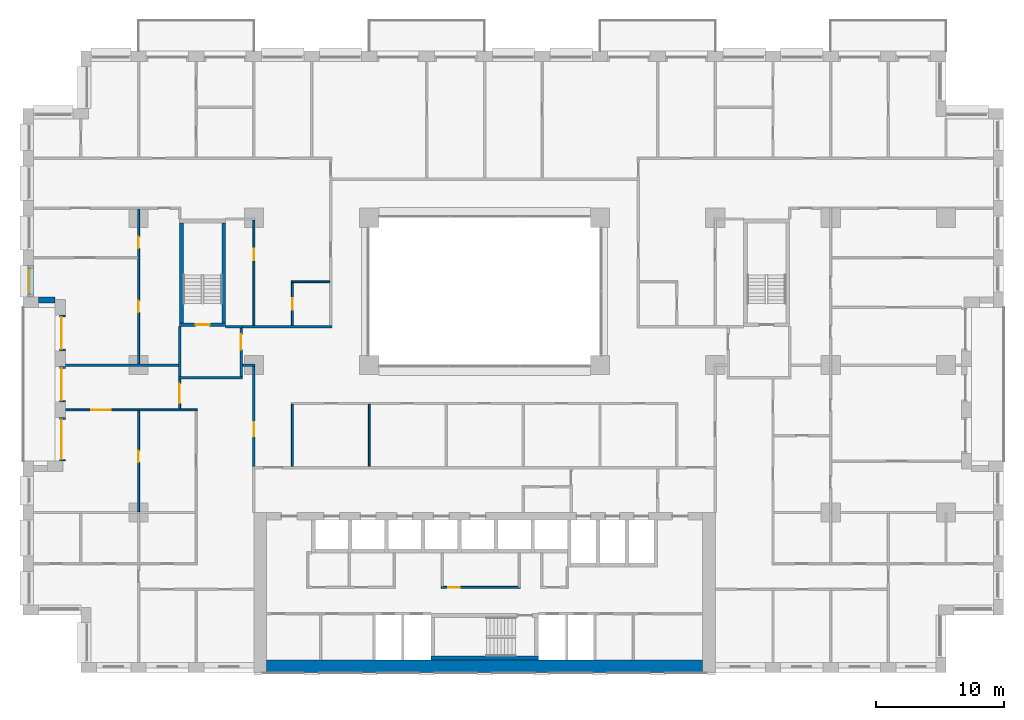
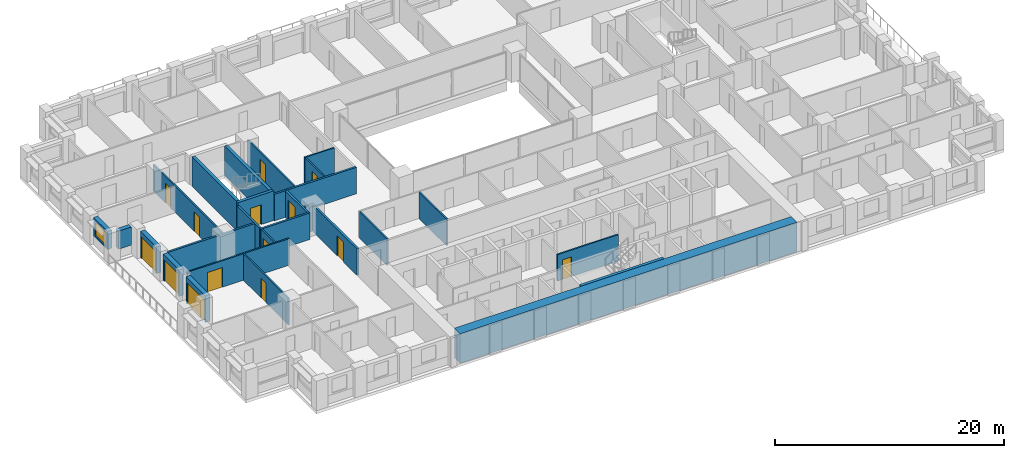
# One storey, part 10 of 19: 28 walls, 14 doors, 1 window, 15 openings.
"""IFC4 building model written with IfcOpenShell, lengths in metres."""

from ifc_helpers import new_model, si_unit, direction, frame, frame_2d, origin, place, context, subcontext, project, spatial, rectangle, extrude, material, layer, layer_set, type_object, element, fill, save


model = new_model("IFC4")

# Units and contexts
model_context = context("Model", 3, precision=1e-05, world=origin(), true_north=direction((0.0, 1.0)))
body_context = subcontext(model_context, "Body", "Model", "MODEL_VIEW")
ifc_project = project(units=[si_unit("LENGTHUNIT", "METRE"), si_unit("AREAUNIT", "SQUARE_METRE"), si_unit("VOLUMEUNIT", "CUBIC_METRE"), si_unit("PLANEANGLEUNIT", "RADIAN"), si_unit("MASSUNIT", "GRAM", prefix="KILO")], contexts=[model_context])

# Site, building, storey
site_placement = place(None, origin())
site = spatial("IfcSite", under=ifc_project, at=site_placement, CompositionType="ELEMENT")
building_placement = place(site_placement, origin())
building = spatial("IfcBuilding", under=site, at=building_placement, Name="Brigalow Station Residences", CompositionType="ELEMENT")
storey_placement = place(building_placement, frame((0.0, 0.0, 25.800048828125)))
storey = spatial("IfcBuildingStorey", under=building, at=storey_placement, Name="L06", CompositionType="ELEMENT", Elevation=25.800048828125)

# Wall, opening, window
ifc_material_1 = material(Name="Clay brick masonry", Category="masonry")
ifc_layer_1 = layer(ifc_material_1, 0.449951171875)
ifc_layer_set_1 = layer_set([ifc_layer_1], Name="BRICK INFILL WALL 450")
wall_type_1 = type_object("IfcWallType", Name="BRICK INFILL WALL 450", PredefinedType="SOLIDWALL", material=ifc_layer_set_1)
wall_1_placement = place(storey_placement, frame((0.574951171875, 31.77490234375, 0.89990234375), z_axis=(0.0, 0.0, 1.0), x_axis=(0.0, -1.0, 0.0)))
wall_1 = element("IfcWall", 1, at=wall_1_placement, inside=storey, type_object=wall_type_1, Name="L06/ewall/W-L06-45", PredefinedType="SOLIDWALL", context=body_context, shape_type="SweptSolid", body=[
    extrude(rectangle(XDim=2.474853515625, YDim=0.449951171875, at=frame_2d((1.2373046875, 0.0))), origin(), (0.0, 0.0, 1.0), 1.929931640625),
])
opening_1_placement = place(wall_1_placement, frame((0.237548828125, 0.0, 0.14990234375)))
opening_1 = element("IfcOpeningElement", 2, at=opening_1_placement, cuts=wall_1, Name="Opening WT-7", PredefinedType="OPENING", context=body_context, shape_type="SweptSolid", body=[
    extrude(rectangle(XDim=2.0, YDim=1.5, at=frame_2d((1.0, 0.75))), frame((0.0, 0.23486328125, 0.0), z_axis=(0.0, -1.0, 0.0), x_axis=(1.0, 0.0, 0.0)), (0.0, 0.0, 1.0), 0.469970703125),
])
ifc_material_2 = material(Name="Anodised aluminium frame with double glazing", Category="aluminium")
window_type = type_object("IfcWindowType", Name="WINDOW 2000x1500", PartitioningType="SINGLE_PANEL", PredefinedType="WINDOW", material=ifc_material_2)
window_placement = place(opening_1_placement, origin())
window = element("IfcWindow", 3, at=window_placement, inside=storey, type_object=window_type, Name="L06/window/W-L06-45", OverallHeight=1.5, OverallWidth=2.0, PartitioningType="SINGLE_PANEL", PredefinedType="WINDOW", context=body_context, shape_type="SweptSolid", body=[
    extrude(rectangle(XDim=2.0, YDim=1.5, at=frame_2d((1.0, 0.75))), frame((0.0, -0.06494140625, 0.0), z_axis=(0.0, -1.0, 0.0), x_axis=(1.0, 0.0, 0.0)), (0.0, 0.0, 1.0), 0.06005859375),
])
fill(opening_1, window)

# Wall
wall_2_placement = place(storey_placement, frame((1.199951171875, 29.074951171875, 0.89990234375), z_axis=(0.0, 0.0, 1.0), x_axis=(1.0, 0.0, 0.0)))
element("IfcWall", 4, at=wall_2_placement, inside=storey, type_object=wall_type_1, Name="L06/ewall/W-L06-46", PredefinedType="SOLIDWALL", context=body_context, shape_type="SweptSolid", body=[
    extrude(rectangle(XDim=1.300048828125, YDim=0.449951171875, at=frame_2d((0.64990234375, 0.0))), origin(), (0.0, 0.0, 1.0), 1.929931640625),
])

# Wall, opening, door
wall_3_placement = place(storey_placement, frame((3.074951171875, 27.89990234375, 0.0), z_axis=(0.0, 0.0, 1.0), x_axis=(0.0, -1.0, 0.0)))
wall_3 = element("IfcWall", 5, at=wall_3_placement, inside=storey, type_object=wall_type_1, Name="L06/ewall/W-L06-47", PredefinedType="SOLIDWALL", context=body_context, shape_type="SweptSolid", body=[
    extrude(rectangle(XDim=2.7998046875, YDim=0.449951171875, at=frame_2d((1.39990234375, 0.0))), origin(), (0.0, 0.0, 1.0), 2.829833984375),
])
opening_2_placement = place(wall_3_placement, frame((0.14990234375, 0.0, 0.0)))
opening_2 = element("IfcOpeningElement", 6, at=opening_2_placement, cuts=wall_3, Name="Opening D-B2500", PredefinedType="OPENING", context=body_context, shape_type="SweptSolid", body=[
    extrude(rectangle(XDim=2.5, YDim=2.300048828125, at=frame_2d((1.25, 1.14990234375))), frame((0.0, 0.23486328125, 0.0), z_axis=(0.0, -1.0, 0.0), x_axis=(1.0, 0.0, 0.0)), (0.0, 0.0, 1.0), 0.469970703125),
])
ifc_material_3 = material(Name="Anodised aluminium frame with double glazing", Category="aluminium")
door_type_1 = type_object("IfcDoorType", Name="BALCONY SLIDING DOOR 2500x2300", OperationType="SLIDING_TO_LEFT", PredefinedType="DOOR", material=ifc_material_3)
door_1_placement = place(opening_2_placement, origin())
door_1 = element("IfcDoor", 7, at=door_1_placement, inside=storey, type_object=door_type_1, Name="L06/balcony-door/W-L06-47", OperationType="SLIDING_TO_LEFT", OverallHeight=2.300048828125, OverallWidth=2.5, PredefinedType="DOOR", context=body_context, shape_type="SweptSolid", body=[
    extrude(rectangle(XDim=2.5, YDim=2.300048828125, at=frame_2d((1.25, 1.14990234375))), frame((0.0, -0.06982421875, 0.0), z_axis=(0.0, -1.0, 0.0), x_axis=(1.0, 0.0, 0.0)), (0.0, 0.0, 1.0), 0.050048828125),
])
fill(opening_2, door_1)

wall_4_placement = place(storey_placement, frame((3.074951171875, 23.89990234375, 0.0), z_axis=(0.0, 0.0, 1.0), x_axis=(0.0, -1.0, 0.0)))
wall_4 = element("IfcWall", 8, at=wall_4_placement, inside=storey, type_object=wall_type_1, Name="L06/ewall/W-L06-48", PredefinedType="SOLIDWALL", context=body_context, shape_type="SweptSolid", body=[
    extrude(rectangle(XDim=2.7998046875, YDim=0.449951171875, at=frame_2d((1.39990234375, 0.0))), origin(), (0.0, 0.0, 1.0), 2.829833984375),
])
opening_3_placement = place(wall_4_placement, frame((0.14990234375, 0.0, 0.0)))
opening_3 = element("IfcOpeningElement", 9, at=opening_3_placement, cuts=wall_4, Name="Opening D-B2500", PredefinedType="OPENING", context=body_context, shape_type="SweptSolid", body=[
    extrude(rectangle(XDim=2.5, YDim=2.300048828125, at=frame_2d((1.25, 1.14990234375))), frame((0.0, 0.23486328125, 0.0), z_axis=(0.0, -1.0, 0.0), x_axis=(1.0, 0.0, 0.0)), (0.0, 0.0, 1.0), 0.469970703125),
])
door_2_placement = place(opening_3_placement, origin())
door_2 = element("IfcDoor", 10, at=door_2_placement, inside=storey, type_object=door_type_1, Name="L06/balcony-door/W-L06-48", OperationType="SLIDING_TO_LEFT", OverallHeight=2.300048828125, OverallWidth=2.5, PredefinedType="DOOR", context=body_context, shape_type="SweptSolid", body=[
    extrude(rectangle(XDim=2.5, YDim=2.300048828125, at=frame_2d((1.25, 1.14990234375))), frame((0.0, -0.06982421875, 0.0), z_axis=(0.0, -1.0, 0.0), x_axis=(1.0, 0.0, 0.0)), (0.0, 0.0, 1.0), 0.050048828125),
])
fill(opening_3, door_2)

wall_5_placement = place(storey_placement, frame((3.074951171875, 19.89990234375, 0.0), z_axis=(0.0, 0.0, 1.0), x_axis=(0.0, -1.0, 0.0)))
wall_5 = element("IfcWall", 11, at=wall_5_placement, inside=storey, type_object=wall_type_1, Name="L06/ewall/W-L06-49", PredefinedType="SOLIDWALL", context=body_context, shape_type="SweptSolid", body=[
    extrude(rectangle(XDim=3.39990234375, YDim=0.449951171875, at=frame_2d((1.699951171875, 0.0))), origin(), (0.0, 0.0, 1.0), 2.829833984375),
])
opening_4_placement = place(wall_5_placement, frame((0.14990234375, 0.0, 0.0)))
opening_4 = element("IfcOpeningElement", 12, at=opening_4_placement, cuts=wall_5, Name="Opening D-B3100", PredefinedType="OPENING", context=body_context, shape_type="SweptSolid", body=[
    extrude(rectangle(XDim=3.10009765625, YDim=2.300048828125, at=frame_2d((1.550048828125, 1.14990234375))), frame((0.0, 0.23486328125, 0.0), z_axis=(0.0, -1.0, 0.0), x_axis=(1.0, 0.0, 0.0)), (0.0, 0.0, 1.0), 0.469970703125),
])
ifc_material_4 = material(Name="Anodised aluminium frame with double glazing", Category="aluminium")
door_type_2 = type_object("IfcDoorType", Name="BALCONY SLIDING DOOR 3100x2300", OperationType="SLIDING_TO_LEFT", PredefinedType="DOOR", material=ifc_material_4)
door_3_placement = place(opening_4_placement, origin())
door_3 = element("IfcDoor", 13, at=door_3_placement, inside=storey, type_object=door_type_2, Name="L06/balcony-door/W-L06-49", OperationType="SLIDING_TO_LEFT", OverallHeight=2.300048828125, OverallWidth=3.10009765625, PredefinedType="DOOR", context=body_context, shape_type="SweptSolid", body=[
    extrude(rectangle(XDim=3.10009765625, YDim=2.300048828125, at=frame_2d((1.550048828125, 1.14990234375))), frame((0.0, -0.06982421875, 0.0), z_axis=(0.0, -1.0, 0.0), x_axis=(1.0, 0.0, 0.0)), (0.0, 0.0, 1.0), 0.050048828125),
])
fill(opening_4, door_3)

# Walls
ifc_material_5 = material(Name="Concrete C80", Category="concrete")
ifc_layer_2 = layer(ifc_material_5, 1.0)
ifc_layer_set_2 = layer_set([ifc_layer_2], Name="CORE SHEAR WALL 1000 C80")
wall_type_2 = type_object("IfcWallType", Name="CORE SHEAR WALL 1000 C80", PredefinedType="SHEAR", material=ifc_layer_set_2)
wall_6_placement = place(storey_placement, frame((19.0, 0.5, 0.0), z_axis=(0.0, 0.0, 1.0), x_axis=(1.0, 0.0, 0.0)))
element("IfcWall", 14, at=wall_6_placement, inside=storey, type_object=wall_type_2, Name="CORE WALL OUT-S L06", PredefinedType="SHEAR", context=body_context, shape_type="SweptSolid", body=[
    extrude(rectangle(XDim=34.0, YDim=1.0, at=frame_2d((17.0, 0.0))), origin(), (0.0, 0.0, 1.0), 3.14990234375),
])
ifc_material_6 = material(Name="Concrete C80", Category="concrete")
ifc_layer_3 = layer(ifc_material_6, 0.300048828125)
ifc_layer_set_3 = layer_set([ifc_layer_3], Name="CORE SHEAR WALL 300 C80")
wall_type_3 = type_object("IfcWallType", Name="CORE SHEAR WALL 300 C80", PredefinedType="SHEAR", material=ifc_layer_set_3)
wall_7_placement = place(storey_placement, frame((31.800048828125, 1.14990234375, 0.0), z_axis=(0.0, 0.0, 1.0), x_axis=(1.0, 0.0, 0.0)))
element("IfcWall", 15, at=wall_7_placement, inside=storey, type_object=wall_type_3, Name="CORE WALL ST-S2-S L06", PredefinedType="SHEAR", context=body_context, shape_type="SweptSolid", body=[
    extrude(rectangle(XDim=8.39990234375, YDim=0.300048828125, at=frame_2d((4.199951171875, 0.0))), origin(), (0.0, 0.0, 1.0), 3.14990234375),
])

# Wall, opening, door
wall_8_placement = place(storey_placement, frame((12.199951171875, 27.14990234375, 0.0), z_axis=(0.0, 0.0, 1.0), x_axis=(1.0, 0.0, 0.0)))
wall_8 = element("IfcWall", 16, at=wall_8_placement, inside=storey, type_object=wall_type_3, Name="CORE WALL ST-S1-S L06", PredefinedType="SHEAR", context=body_context, shape_type="SweptSolid", body=[
    extrude(rectangle(XDim=3.60009765625, YDim=0.300048828125, at=frame_2d((1.800048828125, 0.0))), origin(), (0.0, 0.0, 1.0), 3.14990234375),
])
opening_5_placement = place(wall_8_placement, frame((1.25, 0.0, 0.0)))
opening_5 = element("IfcOpeningElement", 17, at=opening_5_placement, cuts=wall_8, Name="Opening D-5015", PredefinedType="OPENING", context=body_context, shape_type="SweptSolid", body=[
    extrude(rectangle(XDim=1.10009765625, YDim=2.10009765625, at=frame_2d((0.550048828125, 1.050048828125))), frame((0.0, 0.16015625, 0.0), z_axis=(0.0, -1.0, 0.0), x_axis=(1.0, 0.0, 0.0)), (0.0, 0.0, 1.0), 0.320068359375),
])
ifc_material_7 = material(Name="Steel fire door leaf in steel frame", Category="steel")
door_type_3 = type_object("IfcDoorType", Name="STAIR DOOR 1100 x 2100 FD60S", OperationType="SINGLE_SWING_LEFT", PredefinedType="DOOR", material=ifc_material_7)
door_4_placement = place(opening_5_placement, origin())
door_4 = element("IfcDoor", 18, at=door_4_placement, inside=storey, type_object=door_type_3, Name="D-5015", OperationType="SINGLE_SWING_LEFT", OverallHeight=2.10009765625, OverallWidth=1.10009765625, PredefinedType="DOOR", context=body_context, shape_type="SweptSolid", body=[
    extrude(rectangle(XDim=1.10009765625, YDim=2.10009765625, at=frame_2d((0.550048828125, 1.050048828125))), frame((0.0, 0.02490234375, 0.0), z_axis=(0.0, -1.0, 0.0), x_axis=(1.0, 0.0, 0.0)), (0.0, 0.0, 1.0), 0.050048828125),
])
fill(opening_5, door_4)

# Walls
for number, where, z_axis, x_axis, name in (
    (19, (12.35009765625, 27.300048828125, 0.0), (0.0, 0.0, 1.0), (0.0, 1.0, 0.0), "CORE WALL ST-S1-W L06"),
    (20, (15.64990234375, 27.300048828125, 0.0), (0.0, 0.0, 1.0), (0.0, 1.0, 0.0), "CORE WALL ST-S1-E L06"),
):
    element("IfcWall", number, at=place(storey_placement, frame(where, z_axis=z_axis, x_axis=x_axis)), inside=storey, type_object=wall_type_3, Name=name, PredefinedType="SHEAR", context=body_context, shape_type="SweptSolid", body=[
        extrude(rectangle(XDim=7.800048828125, YDim=0.300048828125, at=frame_2d((3.89990234375, 0.0))), origin(), (0.0, 0.0, 1.0), 3.14990234375),
    ])
ifc_material_8 = material(Name="Concrete blockwork", Category="masonry")
ifc_layer_4 = layer(ifc_material_8, 0.199951171875)
ifc_layer_set_4 = layer_set([ifc_layer_4], Name="FIRE RATED CORE PARTITION 200")
wall_type_4 = type_object("IfcWallType", Name="FIRE RATED CORE PARTITION 200", PredefinedType="PARTITIONING", material=ifc_layer_set_4)
wall_9_placement = place(storey_placement, frame((12.10009765625, 23.0, 0.0), z_axis=(0.0, 0.0, 1.0), x_axis=(1.0, 0.0, 0.0)))
element("IfcWall", 21, at=wall_9_placement, inside=storey, type_object=wall_type_4, Name="PW-5023", PredefinedType="PARTITIONING", context=body_context, shape_type="SweptSolid", body=[
    extrude(rectangle(XDim=5.0, YDim=0.199951171875, at=frame_2d((2.5, 0.0))), origin(), (0.0, 0.0, 1.0), 2.829833984375),
])
wall_10_placement = place(storey_placement, frame((15.800048828125, 27.0, 0.0), z_axis=(0.0, 0.0, 1.0), x_axis=(1.0, 0.0, 0.0)))
element("IfcWall", 22, at=wall_10_placement, inside=storey, type_object=wall_type_4, Name="PW-5025", PredefinedType="PARTITIONING", context=body_context, shape_type="SweptSolid", body=[
    extrude(rectangle(XDim=1.300048828125, YDim=0.199951171875, at=frame_2d((0.64990234375, 0.0))), origin(), (0.0, 0.0, 1.0), 2.829833984375),
])
wall_11_placement = place(storey_placement, frame((12.199951171875, 23.10009765625, 0.0), z_axis=(0.0, 0.0, 1.0), x_axis=(0.0, 1.0, 0.0)))
element("IfcWall", 23, at=wall_11_placement, inside=storey, type_object=wall_type_4, Name="PW-5034", PredefinedType="PARTITIONING", context=body_context, shape_type="SweptSolid", body=[
    extrude(rectangle(XDim=3.89990234375, YDim=0.199951171875, at=frame_2d((1.949951171875, 0.0))), origin(), (0.0, 0.0, 1.0), 2.829833984375),
])

# Wall, opening, door
wall_12_placement = place(storey_placement, frame((17.0, 23.10009765625, 0.0), z_axis=(0.0, 0.0, 1.0), x_axis=(0.0, 1.0, 0.0)))
wall_12 = element("IfcWall", 24, at=wall_12_placement, inside=storey, type_object=wall_type_4, Name="PW-5035", PredefinedType="PARTITIONING", context=body_context, shape_type="SweptSolid", body=[
    extrude(rectangle(XDim=3.7998046875, YDim=0.199951171875, at=frame_2d((1.89990234375, 0.0))), origin(), (0.0, 0.0, 1.0), 2.829833984375),
])
opening_6_placement = place(wall_12_placement, frame((2.10009765625, 0.0, 0.0)))
opening_6 = element("IfcOpeningElement", 25, at=opening_6_placement, cuts=wall_12, Name="Opening D-5016", PredefinedType="OPENING", context=body_context, shape_type="SweptSolid", body=[
    extrude(rectangle(XDim=1.199951171875, YDim=2.10009765625, at=frame_2d((0.60009765625, 1.050048828125))), frame((0.0, 0.10986328125, 0.0), z_axis=(0.0, -1.0, 0.0), x_axis=(1.0, 0.0, 0.0)), (0.0, 0.0, 1.0), 0.219970703125),
])
ifc_material_9 = material(Name="Steel fire door leaf in steel frame", Category="steel")
door_type_4 = type_object("IfcDoorType", Name="STAIR LOBBY DOOR 1200 x 2100 FD60S", OperationType="SINGLE_SWING_LEFT", PredefinedType="DOOR", material=ifc_material_9)
door_5_placement = place(opening_6_placement, origin())
door_5 = element("IfcDoor", 26, at=door_5_placement, inside=storey, type_object=door_type_4, Name="D-5016", OperationType="SINGLE_SWING_RIGHT", OverallHeight=2.10009765625, OverallWidth=1.199951171875, PredefinedType="DOOR", context=body_context, shape_type="SweptSolid", body=[
    extrude(rectangle(XDim=1.199951171875, YDim=2.10009765625, at=frame_2d((0.60009765625, 1.050048828125))), frame((0.0, 0.02490234375, 0.0), z_axis=(0.0, -1.0, 0.0), x_axis=(1.0, 0.0, 0.0)), (0.0, 0.0, 1.0), 0.050048828125),
])
fill(opening_6, door_5)

ifc_material_10 = material(Name="Plasterboard on steel stud partition", Category="steel")
ifc_layer_5 = layer(ifc_material_10, 0.14990234375)
ifc_layer_set_5 = layer_set([ifc_layer_5], Name="FLAT PARTITION 150")
wall_type_5 = type_object("IfcWallType", Name="FLAT PARTITION 150", PredefinedType="PARTITIONING", material=ifc_layer_set_5)
wall_13_placement = place(storey_placement, frame((3.300048828125, 20.5, 0.0), z_axis=(0.0, 0.0, 1.0), x_axis=(1.0, 0.0, 0.0)))
wall_13 = element("IfcWall", 27, at=wall_13_placement, inside=storey, type_object=wall_type_5, Name="PW-1A15", PredefinedType="PARTITIONING", context=body_context, shape_type="SweptSolid", body=[
    extrude(rectangle(XDim=10.27490234375, YDim=0.14990234375, at=frame_2d((5.137451171875, 0.0))), origin(), (0.0, 0.0, 1.0), 2.829833984375),
])
opening_7_placement = place(wall_13_placement, frame((2.02490234375, 0.0, 0.0)))
opening_7 = element("IfcOpeningElement", 28, at=opening_7_placement, cuts=wall_13, Name="Opening D-1A12", PredefinedType="OPENING", context=body_context, shape_type="SweptSolid", body=[
    extrude(rectangle(XDim=1.5, YDim=2.10009765625, at=frame_2d((0.75, 1.050048828125))), frame((0.0, 0.0849609375, 0.0), z_axis=(0.0, -1.0, 0.0), x_axis=(1.0, 0.0, 0.0)), (0.0, 0.0, 1.0), 0.169921875),
])
ifc_material_11 = material(Name="Solid-core timber door leaf", Category="wood")
door_type_5 = type_object("IfcDoorType", Name="INTERNAL DOUBLE DOOR 1500 x 2100", OperationType="DOUBLE_DOOR_SINGLE_SWING", PredefinedType="DOOR", material=ifc_material_11)
door_6_placement = place(opening_7_placement, origin())
door_6 = element("IfcDoor", 29, at=door_6_placement, inside=storey, type_object=door_type_5, Name="D-1A12", OperationType="DOUBLE_DOOR_SINGLE_SWING", OverallHeight=2.10009765625, OverallWidth=1.5, PredefinedType="DOOR", context=body_context, shape_type="SweptSolid", body=[
    extrude(rectangle(XDim=1.5, YDim=2.10009765625, at=frame_2d((0.75, 1.050048828125))), frame((0.0, 0.02490234375, 0.0), z_axis=(0.0, -1.0, 0.0), x_axis=(1.0, 0.0, 0.0)), (0.0, 0.0, 1.0), 0.050048828125),
])
fill(opening_7, door_6)

# Wall
wall_14_placement = place(storey_placement, frame((20.925048828125, 30.5, 0.0), z_axis=(0.0, 0.0, 1.0), x_axis=(1.0, 0.0, 0.0)))
element("IfcWall", 30, at=wall_14_placement, inside=storey, type_object=wall_type_5, Name="PW-1A24", PredefinedType="PARTITIONING", context=body_context, shape_type="SweptSolid", body=[
    extrude(rectangle(XDim=2.974853515625, YDim=0.14990234375, at=frame_2d((1.4873046875, 0.0))), origin(), (0.0, 0.0, 1.0), 2.829833984375),
])

# Wall, opening, door
wall_15_placement = place(storey_placement, frame((18.0, 27.10009765625, 0.0), z_axis=(0.0, 0.0, 1.0), x_axis=(0.0, 1.0, 0.0)))
wall_15 = element("IfcWall", 31, at=wall_15_placement, inside=storey, type_object=wall_type_5, Name="PW-1A32", PredefinedType="PARTITIONING", context=body_context, shape_type="SweptSolid", body=[
    extrude(rectangle(XDim=8.224853515625, YDim=0.14990234375, at=frame_2d((4.1123046875, 0.0))), origin(), (0.0, 0.0, 1.0), 2.829833984375),
])
opening_8_placement = place(wall_15_placement, frame((5.074951171875, 0.0, 0.0)))
opening_8 = element("IfcOpeningElement", 32, at=opening_8_placement, cuts=wall_15, Name="Opening D-1A19", PredefinedType="OPENING", context=body_context, shape_type="SweptSolid", body=[
    extrude(rectangle(XDim=0.89990234375, YDim=2.10009765625, at=frame_2d((0.449951171875, 1.050048828125))), frame((0.0, 0.0849609375, 0.0), z_axis=(0.0, -1.0, 0.0), x_axis=(1.0, 0.0, 0.0)), (0.0, 0.0, 1.0), 0.169921875),
])
ifc_material_12 = material(Name="Solid-core timber door leaf", Category="wood")
door_type_6 = type_object("IfcDoorType", Name="INTERNAL DOOR 900 x 2100", OperationType="SINGLE_SWING_LEFT", PredefinedType="DOOR", material=ifc_material_12)
door_7_placement = place(opening_8_placement, origin())
door_7 = element("IfcDoor", 33, at=door_7_placement, inside=storey, type_object=door_type_6, Name="D-1A19", OperationType="SINGLE_SWING_RIGHT", OverallHeight=2.10009765625, OverallWidth=0.89990234375, PredefinedType="DOOR", context=body_context, shape_type="SweptSolid", body=[
    extrude(rectangle(XDim=0.89990234375, YDim=2.10009765625, at=frame_2d((0.449951171875, 1.050048828125))), frame((0.0, 0.02490234375, 0.0), z_axis=(0.0, -1.0, 0.0), x_axis=(1.0, 0.0, 0.0)), (0.0, 0.0, 1.0), 0.050048828125),
])
fill(opening_8, door_7)

# Wall
wall_16_placement = place(storey_placement, frame((21.0, 16.10009765625, 0.0), z_axis=(0.0, 0.0, 1.0), x_axis=(0.0, 1.0, 0.0)))
element("IfcWall", 34, at=wall_16_placement, inside=storey, type_object=wall_type_5, Name="PW-1A38", PredefinedType="PARTITIONING", context=body_context, shape_type="SweptSolid", body=[
    extrude(rectangle(XDim=4.824951171875, YDim=0.14990234375, at=frame_2d((2.41259765625, 0.0))), origin(), (0.0, 0.0, 1.0), 2.829833984375),
])

# Wall, opening, door
wall_17_placement = place(storey_placement, frame((21.0, 27.10009765625, 0.0), z_axis=(0.0, 0.0, 1.0), x_axis=(0.0, 1.0, 0.0)))
wall_17 = element("IfcWall", 35, at=wall_17_placement, inside=storey, type_object=wall_type_5, Name="PW-1A39", PredefinedType="PARTITIONING", context=body_context, shape_type="SweptSolid", body=[
    extrude(rectangle(XDim=3.324951171875, YDim=0.14990234375, at=frame_2d((1.66259765625, 0.0))), origin(), (0.0, 0.0, 1.0), 2.829833984375),
])
opening_9_placement = place(wall_17_placement, frame((1.199951171875, 0.0, 0.0)))
opening_9 = element("IfcOpeningElement", 36, at=opening_9_placement, cuts=wall_17, Name="Opening D-1A20", PredefinedType="OPENING", context=body_context, shape_type="SweptSolid", body=[
    extrude(rectangle(XDim=0.89990234375, YDim=2.10009765625, at=frame_2d((0.449951171875, 1.050048828125))), frame((0.0, 0.0849609375, 0.0), z_axis=(0.0, -1.0, 0.0), x_axis=(1.0, 0.0, 0.0)), (0.0, 0.0, 1.0), 0.169921875),
])
door_8_placement = place(opening_9_placement, frame((0.89990234375, 0.0, 0.0), z_axis=(0.0, 0.0, 1.0), x_axis=(-1.0, 0.0, 0.0)))
door_8 = element("IfcDoor", 37, at=door_8_placement, inside=storey, type_object=door_type_6, Name="D-1A20", OperationType="SINGLE_SWING_RIGHT", OverallHeight=2.10009765625, OverallWidth=0.89990234375, PredefinedType="DOOR", context=body_context, shape_type="SweptSolid", body=[
    extrude(rectangle(XDim=0.89990234375, YDim=2.10009765625, at=frame_2d((0.449951171875, 1.050048828125))), frame((0.0, 0.02490234375, 0.0), z_axis=(0.0, -1.0, 0.0), x_axis=(1.0, 0.0, 0.0)), (0.0, 0.0, 1.0), 0.050048828125),
])
fill(opening_9, door_8)

wall_18_placement = place(storey_placement, frame((9.0, 12.574951171875, 0.0), z_axis=(0.0, 0.0, 1.0), x_axis=(0.0, 1.0, 0.0)))
wall_18 = element("IfcWall", 38, at=wall_18_placement, inside=storey, type_object=wall_type_5, Name="PW-1A48", PredefinedType="PARTITIONING", context=body_context, shape_type="SweptSolid", body=[
    extrude(rectangle(XDim=7.85009765625, YDim=0.14990234375, at=frame_2d((3.925048828125, 0.0))), origin(), (0.0, 0.0, 1.0), 2.829833984375),
])
opening_10_placement = place(wall_18_placement, frame((3.85009765625, 0.0, 0.0)))
opening_10 = element("IfcOpeningElement", 39, at=opening_10_placement, cuts=wall_18, Name="Opening D-1A10", PredefinedType="OPENING", context=body_context, shape_type="SweptSolid", body=[
    extrude(rectangle(XDim=0.89990234375, YDim=2.10009765625, at=frame_2d((0.449951171875, 1.050048828125))), frame((0.0, 0.0849609375, 0.0), z_axis=(0.0, -1.0, 0.0), x_axis=(1.0, 0.0, 0.0)), (0.0, 0.0, 1.0), 0.169921875),
])
door_9_placement = place(opening_10_placement, frame((0.89990234375, 0.0, 0.0), z_axis=(0.0, 0.0, 1.0), x_axis=(-1.0, 0.0, 0.0)))
door_9 = element("IfcDoor", 40, at=door_9_placement, inside=storey, type_object=door_type_6, Name="D-1A10", OperationType="SINGLE_SWING_LEFT", OverallHeight=2.10009765625, OverallWidth=0.89990234375, PredefinedType="DOOR", context=body_context, shape_type="SweptSolid", body=[
    extrude(rectangle(XDim=0.89990234375, YDim=2.10009765625, at=frame_2d((0.449951171875, 1.050048828125))), frame((0.0, 0.02490234375, 0.0), z_axis=(0.0, -1.0, 0.0), x_axis=(1.0, 0.0, 0.0)), (0.0, 0.0, 1.0), 0.050048828125),
])
fill(opening_10, door_9)

# Wall, openings, doors
wall_19_placement = place(storey_placement, frame((9.0, 24.10009765625, 0.0), z_axis=(0.0, 0.0, 1.0), x_axis=(0.0, 1.0, 0.0)))
wall_19 = element("IfcWall", 41, at=wall_19_placement, inside=storey, type_object=wall_type_5, Name="PW-1A49", PredefinedType="PARTITIONING", context=body_context, shape_type="SweptSolid", body=[
    extrude(rectangle(XDim=12.074951171875, YDim=0.14990234375, at=frame_2d((6.03759765625, 0.0))), origin(), (0.0, 0.0, 1.0), 2.829833984375),
])
opening_11_placement = place(wall_19_placement, frame((4.011962890625, 0.0, 0.0)))
opening_11 = element("IfcOpeningElement", 42, at=opening_11_placement, cuts=wall_19, Name="Opening D-1A16", PredefinedType="OPENING", context=body_context, shape_type="SweptSolid", body=[
    extrude(rectangle(XDim=0.89990234375, YDim=2.10009765625, at=frame_2d((0.449951171875, 1.050048828125))), frame((0.0, 0.0849609375, 0.0), z_axis=(0.0, -1.0, 0.0), x_axis=(1.0, 0.0, 0.0)), (0.0, 0.0, 1.0), 0.169921875),
])
opening_12_placement = place(wall_19_placement, frame((9.011962890625, 0.0, 0.0)))
opening_12 = element("IfcOpeningElement", 43, at=opening_12_placement, cuts=wall_19, Name="Opening D-1A17", PredefinedType="OPENING", context=body_context, shape_type="SweptSolid", body=[
    extrude(rectangle(XDim=0.89990234375, YDim=2.10009765625, at=frame_2d((0.449951171875, 1.050048828125))), frame((0.0, 0.0849609375, 0.0), z_axis=(0.0, -1.0, 0.0), x_axis=(1.0, 0.0, 0.0)), (0.0, 0.0, 1.0), 0.169921875),
])
door_10_placement = place(opening_11_placement, frame((0.89990234375, 0.0, 0.0), z_axis=(0.0, 0.0, 1.0), x_axis=(-1.0, 0.0, 0.0)))
door_10 = element("IfcDoor", 44, at=door_10_placement, inside=storey, type_object=door_type_6, Name="D-1A16", OperationType="SINGLE_SWING_RIGHT", OverallHeight=2.10009765625, OverallWidth=0.89990234375, PredefinedType="DOOR", context=body_context, shape_type="SweptSolid", body=[
    extrude(rectangle(XDim=0.89990234375, YDim=2.10009765625, at=frame_2d((0.449951171875, 1.050048828125))), frame((0.0, 0.02490234375, 0.0), z_axis=(0.0, -1.0, 0.0), x_axis=(1.0, 0.0, 0.0)), (0.0, 0.0, 1.0), 0.050048828125),
])
fill(opening_11, door_10)
door_11_placement = place(opening_12_placement, origin())
door_11 = element("IfcDoor", 45, at=door_11_placement, inside=storey, type_object=door_type_6, Name="D-1A17", OperationType="SINGLE_SWING_LEFT", OverallHeight=2.10009765625, OverallWidth=0.89990234375, PredefinedType="DOOR", context=body_context, shape_type="SweptSolid", body=[
    extrude(rectangle(XDim=0.89990234375, YDim=2.10009765625, at=frame_2d((0.449951171875, 1.050048828125))), frame((0.0, 0.02490234375, 0.0), z_axis=(0.0, -1.0, 0.0), x_axis=(1.0, 0.0, 0.0)), (0.0, 0.0, 1.0), 0.050048828125),
])
fill(opening_12, door_11)

# Wall, opening, door
wall_20_placement = place(storey_placement, frame((12.199951171875, 20.574951171875, 0.0), z_axis=(0.0, 0.0, 1.0), x_axis=(0.0, 1.0, 0.0)))
wall_20 = element("IfcWall", 46, at=wall_20_placement, inside=storey, type_object=wall_type_5, Name="PW-1A56", PredefinedType="PARTITIONING", context=body_context, shape_type="SweptSolid", body=[
    extrude(rectangle(XDim=2.324951171875, YDim=0.14990234375, at=frame_2d((1.16259765625, 0.0))), origin(), (0.0, 0.0, 1.0), 2.829833984375),
])
opening_13_placement = place(wall_20_placement, frame((0.449951171875, 0.0, 0.0)))
opening_13 = element("IfcOpeningElement", 47, at=opening_13_placement, cuts=wall_20, Name="Opening D-1A11", PredefinedType="OPENING", context=body_context, shape_type="SweptSolid", body=[
    extrude(rectangle(XDim=1.5, YDim=2.10009765625, at=frame_2d((0.75, 1.050048828125))), frame((0.0, 0.0849609375, 0.0), z_axis=(0.0, -1.0, 0.0), x_axis=(1.0, 0.0, 0.0)), (0.0, 0.0, 1.0), 0.169921875),
])
door_12_placement = place(opening_13_placement, origin())
door_12 = element("IfcDoor", 48, at=door_12_placement, inside=storey, type_object=door_type_5, Name="D-1A11", OperationType="DOUBLE_DOOR_SINGLE_SWING", OverallHeight=2.10009765625, OverallWidth=1.5, PredefinedType="DOOR", context=body_context, shape_type="SweptSolid", body=[
    extrude(rectangle(XDim=1.5, YDim=2.10009765625, at=frame_2d((0.75, 1.050048828125))), frame((0.0, 0.02490234375, 0.0), z_axis=(0.0, -1.0, 0.0), x_axis=(1.0, 0.0, 0.0)), (0.0, 0.0, 1.0), 0.050048828125),
])
fill(opening_13, door_12)

# Walls
wall_21_placement = place(storey_placement, frame((27.0, 16.10009765625, 0.0), z_axis=(0.0, 0.0, 1.0), x_axis=(0.0, 1.0, 0.0)))
element("IfcWall", 49, at=wall_21_placement, inside=storey, type_object=wall_type_5, Name="PW-1A77", PredefinedType="PARTITIONING", context=body_context, shape_type="SweptSolid", body=[
    extrude(rectangle(XDim=4.824951171875, YDim=0.14990234375, at=frame_2d((2.41259765625, 0.0))), origin(), (0.0, 0.0, 1.0), 2.829833984375),
])
ifc_material_13 = material(Name="Plasterboard on steel stud partition", Category="steel")
ifc_layer_6 = layer(ifc_material_13, 0.199951171875)
ifc_layer_set_6 = layer_set([ifc_layer_6], Name="PARTY AND CORRIDOR WALL 200")
wall_type_6 = type_object("IfcWallType", Name="PARTY AND CORRIDOR WALL 200", PredefinedType="PARTITIONING", material=ifc_layer_set_6)
wall_22_placement = place(storey_placement, frame((3.300048828125, 24.0, 0.0), z_axis=(0.0, 0.0, 1.0), x_axis=(1.0, 0.0, 0.0)))
element("IfcWall", 50, at=wall_22_placement, inside=storey, type_object=wall_type_6, Name="PW-1A02", PredefinedType="PARTITIONING", context=body_context, shape_type="SweptSolid", body=[
    extrude(rectangle(XDim=8.800048828125, YDim=0.199951171875, at=frame_2d((4.39990234375, 0.0))), origin(), (0.0, 0.0, 1.0), 2.829833984375),
])
wall_23_placement = place(storey_placement, frame((17.10009765625, 24.0, 0.0), z_axis=(0.0, 0.0, 1.0), x_axis=(1.0, 0.0, 0.0)))
element("IfcWall", 51, at=wall_23_placement, inside=storey, type_object=wall_type_6, Name="PW-1A03", PredefinedType="PARTITIONING", context=body_context, shape_type="SweptSolid", body=[
    extrude(rectangle(XDim=1.0, YDim=0.199951171875, at=frame_2d((0.5, 0.0))), origin(), (0.0, 0.0, 1.0), 2.829833984375),
])
wall_24_placement = place(storey_placement, frame((17.10009765625, 27.0, 0.0), z_axis=(0.0, 0.0, 1.0), x_axis=(1.0, 0.0, 0.0)))
element("IfcWall", 52, at=wall_24_placement, inside=storey, type_object=wall_type_6, Name="PW-1A06", PredefinedType="PARTITIONING", context=body_context, shape_type="SweptSolid", body=[
    extrude(rectangle(XDim=7.0, YDim=0.199951171875, at=frame_2d((3.5, 0.0))), origin(), (0.0, 0.0, 1.0), 2.829833984375),
])

# Wall, opening, door
wall_25_placement = place(storey_placement, frame((18.0, 16.10009765625, 0.0), z_axis=(0.0, 0.0, 1.0), x_axis=(0.0, 1.0, 0.0)))
wall_25 = element("IfcWall", 53, at=wall_25_placement, inside=storey, type_object=wall_type_6, Name="PW-1A34", PredefinedType="PARTITIONING", context=body_context, shape_type="SweptSolid", body=[
    extrude(rectangle(XDim=7.7998046875, YDim=0.199951171875, at=frame_2d((3.89990234375, 0.0))), origin(), (0.0, 0.0, 1.0), 2.829833984375),
])
opening_14_placement = place(wall_25_placement, frame((2.35009765625, 0.0, 0.0)))
opening_14 = element("IfcOpeningElement", 54, at=opening_14_placement, cuts=wall_25, Name="Opening D-1A13", PredefinedType="OPENING", context=body_context, shape_type="SweptSolid", body=[
    extrude(rectangle(XDim=1.10009765625, YDim=2.10009765625, at=frame_2d((0.550048828125, 1.050048828125))), frame((0.0, 0.10986328125, 0.0), z_axis=(0.0, -1.0, 0.0), x_axis=(1.0, 0.0, 0.0)), (0.0, 0.0, 1.0), 0.219970703125),
])
ifc_material_14 = material(Name="Solid-core timber door leaf", Category="wood")
door_type_7 = type_object("IfcDoorType", Name="FLAT ENTRANCE DOOR 1100 x 2100 FRL -/60/30", OperationType="SINGLE_SWING_LEFT", PredefinedType="DOOR", material=ifc_material_14)
door_13_placement = place(opening_14_placement, origin())
door_13 = element("IfcDoor", 55, at=door_13_placement, inside=storey, type_object=door_type_7, Name="D-1A13", OperationType="SINGLE_SWING_RIGHT", OverallHeight=2.10009765625, OverallWidth=1.10009765625, PredefinedType="DOOR", context=body_context, shape_type="SweptSolid", body=[
    extrude(rectangle(XDim=1.10009765625, YDim=2.10009765625, at=frame_2d((0.550048828125, 1.050048828125))), frame((0.0, 0.02490234375, 0.0), z_axis=(0.0, -1.0, 0.0), x_axis=(1.0, 0.0, 0.0)), (0.0, 0.0, 1.0), 0.050048828125),
])
fill(opening_14, door_13)

ifc_material_15 = material(Name="Plasterboard on steel studs", Category="steel")
ifc_layer_7 = layer(ifc_material_15, 0.14990234375)
ifc_layer_set_7 = layer_set([ifc_layer_7], Name="SERVICE ROOM PARTITION 150")
wall_type_7 = type_object("IfcWallType", Name="SERVICE ROOM PARTITION 150", PredefinedType="PARTITIONING", material=ifc_layer_set_7)
wall_26_placement = place(storey_placement, frame((32.625, 6.64990234375, 0.0), z_axis=(0.0, 0.0, 1.0), x_axis=(1.0, 0.0, 0.0)))
wall_26 = element("IfcWall", 56, at=wall_26_placement, inside=storey, type_object=wall_type_7, Name="PW-5127", PredefinedType="PARTITIONING", context=body_context, shape_type="SweptSolid", body=[
    extrude(rectangle(XDim=6.14990234375, YDim=0.14990234375, at=frame_2d((3.074951171875, 0.0))), origin(), (0.0, 0.0, 1.0), 2.829833984375),
])
opening_15_placement = place(wall_26_placement, frame((0.52490234375, 0.0, 0.0)))
opening_15 = element("IfcOpeningElement", 57, at=opening_15_placement, cuts=wall_26, Name="Opening D-5073", PredefinedType="OPENING", context=body_context, shape_type="SweptSolid", body=[
    extrude(rectangle(XDim=0.89990234375, YDim=2.10009765625, at=frame_2d((0.449951171875, 1.050048828125))), frame((0.0, 0.0849609375, 0.0), z_axis=(0.0, -1.0, 0.0), x_axis=(1.0, 0.0, 0.0)), (0.0, 0.0, 1.0), 0.169921875),
])
ifc_material_16 = material(Name="Steel door leaf in steel frame", Category="steel")
door_type_8 = type_object("IfcDoorType", Name="SERVICE ROOM DOOR 900 x 2100 FD60", OperationType="SINGLE_SWING_LEFT", PredefinedType="DOOR", material=ifc_material_16)
door_14_placement = place(opening_15_placement, origin())
door_14 = element("IfcDoor", 58, at=door_14_placement, inside=storey, type_object=door_type_8, Name="D-5073", OperationType="SINGLE_SWING_LEFT", OverallHeight=2.10009765625, OverallWidth=0.89990234375, PredefinedType="DOOR", context=body_context, shape_type="SweptSolid", body=[
    extrude(rectangle(XDim=0.89990234375, YDim=2.10009765625, at=frame_2d((0.449951171875, 1.050048828125))), frame((0.0, 0.02490234375, 0.0), z_axis=(0.0, -1.0, 0.0), x_axis=(1.0, 0.0, 0.0)), (0.0, 0.0, 1.0), 0.050048828125),
])
fill(opening_15, door_14)

save(model, "model.ifc")
